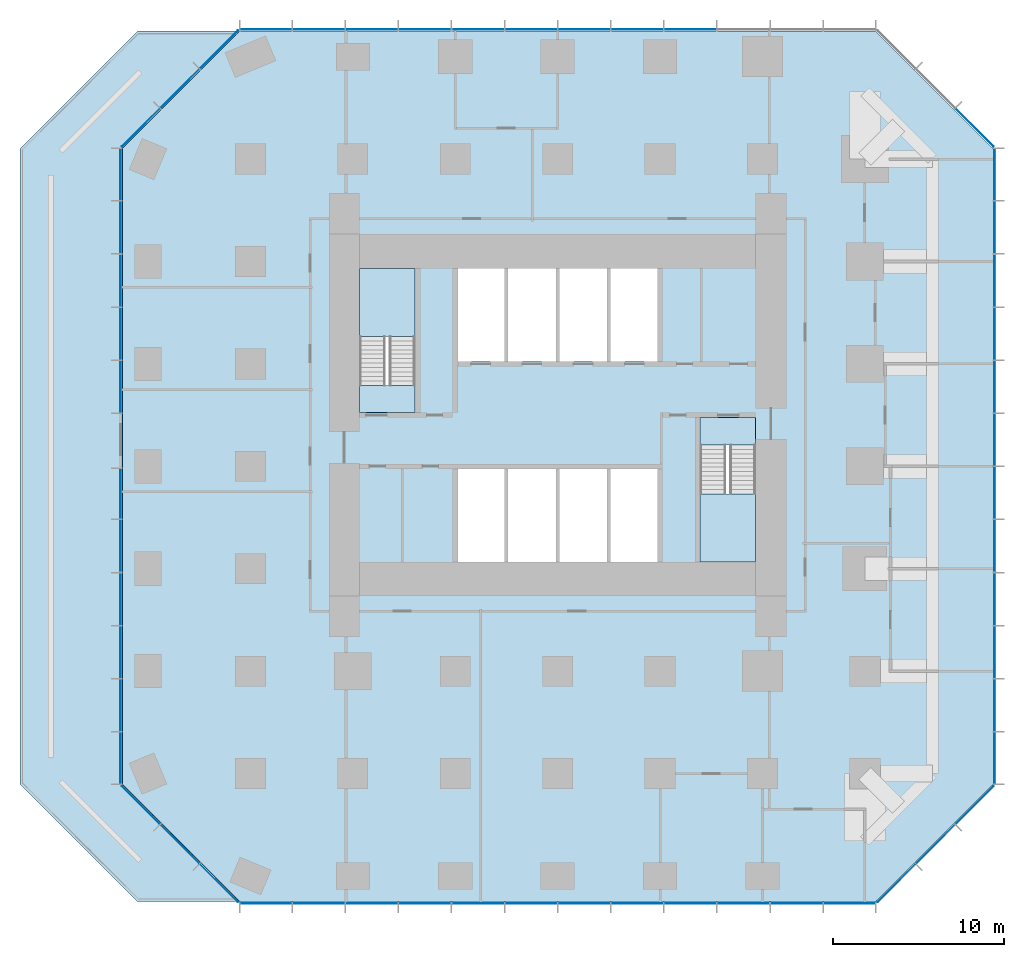
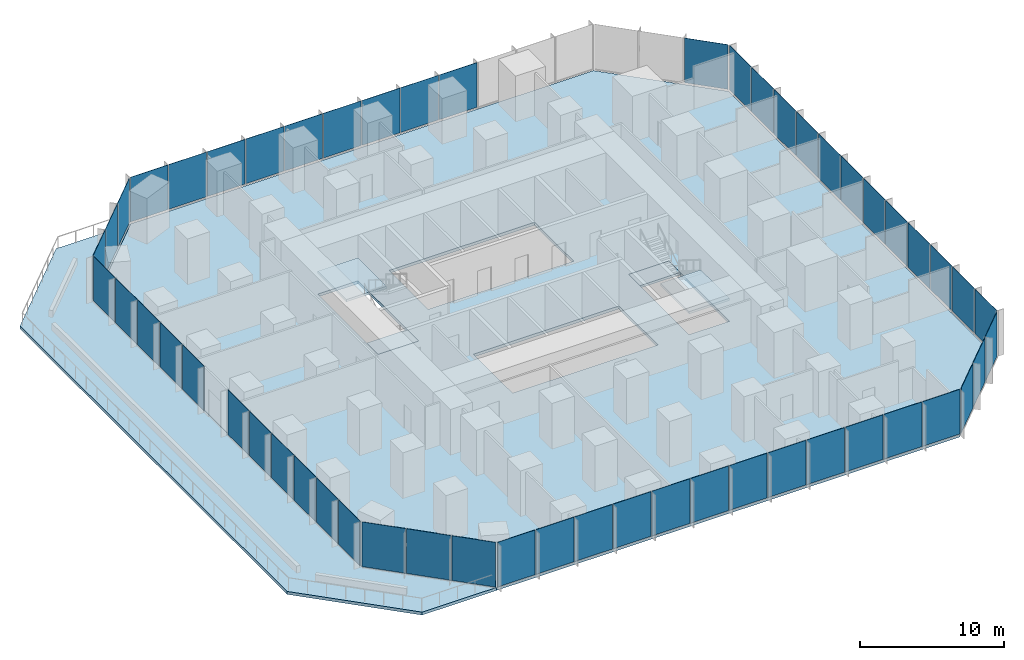
# One storey, part 7 of 12: 54 plates, 6 slabs, 11 elements without a shape of their own.
"""IFC4 building model written with IfcOpenShell, lengths in metres."""

from ifc_helpers import new_model, si_unit, direction, frame, origin, origin_2d, place, context, subcontext, project, spatial, polyline, rectangle, outline, extrude, material, layer, layer_set, type_object, element, aggregate, save


model = new_model("IFC4")

# Units and contexts
model_context = context("Model", 3, precision=1e-05, world=origin(), true_north=direction((0.0, 1.0)))
body_context = subcontext(model_context, "Body", "Model", "MODEL_VIEW")
ifc_project = project(units=[si_unit("LENGTHUNIT", "METRE"), si_unit("AREAUNIT", "SQUARE_METRE"), si_unit("VOLUMEUNIT", "CUBIC_METRE"), si_unit("PLANEANGLEUNIT", "RADIAN"), si_unit("MASSUNIT", "GRAM", prefix="KILO")], contexts=[model_context])

# Site, building, storey
site_placement = place(None, origin())
site = spatial("IfcSite", under=ifc_project, at=site_placement, CompositionType="ELEMENT")
building_placement = place(site_placement, origin())
building = spatial("IfcBuilding", under=site, at=building_placement, Name="Highveld Stack Headquarters", CompositionType="ELEMENT")
storey_placement = place(building_placement, frame((0.0, 0.0, 41.60009765625)))
storey = spatial("IfcBuildingStorey", under=building, at=storey_placement, Name="L09", CompositionType="ELEMENT", Elevation=41.60009765625)

# Curtain wall, plates
ifc_material_1 = material(Name="Aluminium bronze anodised", Category="aluminium")
ifc_layer_1 = layer(ifc_material_1, 0.199951171875)
ifc_layer_set_1 = layer_set([ifc_layer_1], Name="Aluminium bronze anodised")
curtain_wall_type_1 = type_object("IfcCurtainWallType", Name="CW1 TOWER UNITISED CURTAIN WALL", PredefinedType="NOTDEFINED", material=ifc_layer_set_1)
curtain_wall_1_placement = place(storey_placement, origin())
curtain_wall_1 = element("IfcCurtainWall", 1, at=curtain_wall_1_placement, inside=storey, type_object=curtain_wall_type_1, Name="Curtain wall CW1 L09 S", PredefinedType="NOTDEFINED")
ifc_material_2 = material(Name="Glass bronze tinted double glazed unit", Category="glass")
ifc_layer_2 = layer(ifc_material_2, 0.028076171875)
ifc_layer_set_2 = layer_set([ifc_layer_2], Name="Glass bronze tinted double glazed unit")
plate_type_1 = type_object("IfcPlateType", Name="CW1 PANEL BRONZE TINTED DOUBLE GLAZED UNIT", PredefinedType="CURTAIN_PANEL", material=ifc_layer_set_2)
plate_1_placement = place(storey_placement, frame((-11.09130859375, -25.60009765625, 0.10009765625), z_axis=(0.0, 0.0, 1.0), x_axis=(1.0, 0.0, 0.0)))
plate_1 = element("IfcPlate", 2, at=plate_1_placement, type_object=plate_type_1, Name="CW1 panel L09 1.1", PredefinedType="CURTAIN_PANEL", context=body_context, shape_type="SweptSolid", body=[
    extrude(rectangle(XDim=3.012939453125, YDim=0.028076171875, at=origin_2d()), origin(), (0.0, 0.0, 1.0), 3.800048828125),
])
plate_2_placement = place(storey_placement, frame((-7.9970703125, -25.60009765625, 0.10009765625), z_axis=(0.0, 0.0, 1.0), x_axis=(1.0, 0.0, 0.0)))
plate_2 = element("IfcPlate", 3, at=plate_2_placement, type_object=plate_type_1, Name="CW1 panel L09 2.1", PredefinedType="CURTAIN_PANEL", context=body_context, shape_type="SweptSolid", body=[
    extrude(rectangle(XDim=3.04541015625, YDim=0.028076171875, at=origin_2d()), origin(), (0.0, 0.0, 1.0), 3.800048828125),
])
plate_3_placement = place(storey_placement, frame((-4.88671875, -25.60009765625, 0.10009765625), z_axis=(0.0, 0.0, 1.0), x_axis=(1.0, 0.0, 0.0)))
plate_3 = element("IfcPlate", 4, at=plate_3_placement, type_object=plate_type_1, Name="CW1 panel L09 3.1", PredefinedType="CURTAIN_PANEL", context=body_context, shape_type="SweptSolid", body=[
    extrude(rectangle(XDim=3.04541015625, YDim=0.028076171875, at=origin_2d()), origin(), (0.0, 0.0, 1.0), 3.800048828125),
])
plate_4_placement = place(storey_placement, frame((-1.776123046875, -25.60009765625, 0.10009765625), z_axis=(0.0, 0.0, 1.0), x_axis=(1.0, 0.0, 0.0)))
plate_4 = element("IfcPlate", 5, at=plate_4_placement, type_object=plate_type_1, Name="CW1 panel L09 4.1", PredefinedType="CURTAIN_PANEL", context=body_context, shape_type="SweptSolid", body=[
    extrude(rectangle(XDim=3.04541015625, YDim=0.028076171875, at=origin_2d()), origin(), (0.0, 0.0, 1.0), 3.800048828125),
])
plate_5_placement = place(storey_placement, frame((1.334228515625, -25.60009765625, 0.10009765625), z_axis=(0.0, 0.0, 1.0), x_axis=(1.0, 0.0, 0.0)))
plate_5 = element("IfcPlate", 6, at=plate_5_placement, type_object=plate_type_1, Name="CW1 panel L09 5.1", PredefinedType="CURTAIN_PANEL", context=body_context, shape_type="SweptSolid", body=[
    extrude(rectangle(XDim=3.04541015625, YDim=0.028076171875, at=origin_2d()), origin(), (0.0, 0.0, 1.0), 3.800048828125),
])
plate_6_placement = place(storey_placement, frame((4.44482421875, -25.60009765625, 0.10009765625), z_axis=(0.0, 0.0, 1.0), x_axis=(1.0, 0.0, 0.0)))
plate_6 = element("IfcPlate", 7, at=plate_6_placement, type_object=plate_type_1, Name="CW1 panel L09 6.1", PredefinedType="CURTAIN_PANEL", context=body_context, shape_type="SweptSolid", body=[
    extrude(rectangle(XDim=3.04541015625, YDim=0.028076171875, at=origin_2d()), origin(), (0.0, 0.0, 1.0), 3.800048828125),
])
plate_7_placement = place(storey_placement, frame((7.55517578125, -25.60009765625, 0.10009765625), z_axis=(0.0, 0.0, 1.0), x_axis=(1.0, 0.0, 0.0)))
plate_7 = element("IfcPlate", 8, at=plate_7_placement, type_object=plate_type_1, Name="CW1 panel L09 7.1", PredefinedType="CURTAIN_PANEL", context=body_context, shape_type="SweptSolid", body=[
    extrude(rectangle(XDim=3.04541015625, YDim=0.028076171875, at=origin_2d()), origin(), (0.0, 0.0, 1.0), 3.800048828125),
])
plate_8_placement = place(storey_placement, frame((10.665771484375, -25.60009765625, 0.10009765625), z_axis=(0.0, 0.0, 1.0), x_axis=(1.0, 0.0, 0.0)))
plate_8 = element("IfcPlate", 9, at=plate_8_placement, type_object=plate_type_1, Name="CW1 panel L09 8.1", PredefinedType="CURTAIN_PANEL", context=body_context, shape_type="SweptSolid", body=[
    extrude(rectangle(XDim=3.04541015625, YDim=0.028076171875, at=origin_2d()), origin(), (0.0, 0.0, 1.0), 3.800048828125),
])
plate_9_placement = place(storey_placement, frame((13.776123046875, -25.60009765625, 0.10009765625), z_axis=(0.0, 0.0, 1.0), x_axis=(1.0, 0.0, 0.0)))
plate_9 = element("IfcPlate", 10, at=plate_9_placement, type_object=plate_type_1, Name="CW1 panel L09 9.1", PredefinedType="CURTAIN_PANEL", context=body_context, shape_type="SweptSolid", body=[
    extrude(rectangle(XDim=3.04541015625, YDim=0.028076171875, at=origin_2d()), origin(), (0.0, 0.0, 1.0), 3.800048828125),
])
plate_10_placement = place(storey_placement, frame((16.88671875, -25.60009765625, 0.10009765625), z_axis=(0.0, 0.0, 1.0), x_axis=(1.0, 0.0, 0.0)))
plate_10 = element("IfcPlate", 11, at=plate_10_placement, type_object=plate_type_1, Name="CW1 panel L09 10.1", PredefinedType="CURTAIN_PANEL", context=body_context, shape_type="SweptSolid", body=[
    extrude(rectangle(XDim=3.04541015625, YDim=0.028076171875, at=origin_2d()), origin(), (0.0, 0.0, 1.0), 3.800048828125),
])
plate_11_placement = place(storey_placement, frame((19.9970703125, -25.60009765625, 0.10009765625), z_axis=(0.0, 0.0, 1.0), x_axis=(1.0, 0.0, 0.0)))
plate_11 = element("IfcPlate", 12, at=plate_11_placement, type_object=plate_type_1, Name="CW1 panel L09 11.1", PredefinedType="CURTAIN_PANEL", context=body_context, shape_type="SweptSolid", body=[
    extrude(rectangle(XDim=3.04541015625, YDim=0.028076171875, at=origin_2d()), origin(), (0.0, 0.0, 1.0), 3.800048828125),
])
plate_12_placement = place(storey_placement, frame((23.09130859375, -25.60009765625, 0.10009765625), z_axis=(0.0, 0.0, 1.0), x_axis=(1.0, 0.0, 0.0)))
plate_12 = element("IfcPlate", 13, at=plate_12_placement, type_object=plate_type_1, Name="CW1 panel L09 12.1", PredefinedType="CURTAIN_PANEL", context=body_context, shape_type="SweptSolid", body=[
    extrude(rectangle(XDim=3.012939453125, YDim=0.028076171875, at=origin_2d()), origin(), (0.0, 0.0, 1.0), 3.800048828125),
])
aggregate(curtain_wall_1, [plate_1, plate_2, plate_3, plate_4, plate_5, plate_6, plate_7, plate_8, plate_9, plate_10, plate_11, plate_12])

curtain_wall_2_placement = place(storey_placement, origin())
curtain_wall_2 = element("IfcCurtainWall", 14, at=curtain_wall_2_placement, inside=storey, type_object=curtain_wall_type_1, Name="Curtain wall CW1 L09 E", PredefinedType="NOTDEFINED")
plate_13_placement = place(storey_placement, frame((31.60009765625, -17.09130859375, 0.10009765625), z_axis=(0.0, 0.0, 1.0), x_axis=(0.0, 1.0, 0.0)))
plate_13 = element("IfcPlate", 15, at=plate_13_placement, type_object=plate_type_1, Name="CW1 panel L09 1.1", PredefinedType="CURTAIN_PANEL", context=body_context, shape_type="SweptSolid", body=[
    extrude(rectangle(XDim=3.012939453125, YDim=0.028076171875, at=origin_2d()), origin(), (0.0, 0.0, 1.0), 3.800048828125),
])
plate_14_placement = place(storey_placement, frame((31.60009765625, -13.9970703125, 0.10009765625), z_axis=(0.0, 0.0, 1.0), x_axis=(0.0, 1.0, 0.0)))
plate_14 = element("IfcPlate", 16, at=plate_14_placement, type_object=plate_type_1, Name="CW1 panel L09 2.1", PredefinedType="CURTAIN_PANEL", context=body_context, shape_type="SweptSolid", body=[
    extrude(rectangle(XDim=3.04541015625, YDim=0.028076171875, at=origin_2d()), origin(), (0.0, 0.0, 1.0), 3.800048828125),
])
plate_15_placement = place(storey_placement, frame((31.60009765625, -10.88671875, 0.10009765625), z_axis=(0.0, 0.0, 1.0), x_axis=(0.0, 1.0, 0.0)))
plate_15 = element("IfcPlate", 17, at=plate_15_placement, type_object=plate_type_1, Name="CW1 panel L09 3.1", PredefinedType="CURTAIN_PANEL", context=body_context, shape_type="SweptSolid", body=[
    extrude(rectangle(XDim=3.04541015625, YDim=0.028076171875, at=origin_2d()), origin(), (0.0, 0.0, 1.0), 3.800048828125),
])
plate_16_placement = place(storey_placement, frame((31.60009765625, -7.776123046875, 0.10009765625), z_axis=(0.0, 0.0, 1.0), x_axis=(0.0, 1.0, 0.0)))
plate_16 = element("IfcPlate", 18, at=plate_16_placement, type_object=plate_type_1, Name="CW1 panel L09 4.1", PredefinedType="CURTAIN_PANEL", context=body_context, shape_type="SweptSolid", body=[
    extrude(rectangle(XDim=3.04541015625, YDim=0.028076171875, at=origin_2d()), origin(), (0.0, 0.0, 1.0), 3.800048828125),
])
plate_17_placement = place(storey_placement, frame((31.60009765625, -4.665771484375, 0.10009765625), z_axis=(0.0, 0.0, 1.0), x_axis=(0.0, 1.0, 0.0)))
plate_17 = element("IfcPlate", 19, at=plate_17_placement, type_object=plate_type_1, Name="CW1 panel L09 5.1", PredefinedType="CURTAIN_PANEL", context=body_context, shape_type="SweptSolid", body=[
    extrude(rectangle(XDim=3.04541015625, YDim=0.028076171875, at=origin_2d()), origin(), (0.0, 0.0, 1.0), 3.800048828125),
])
plate_18_placement = place(storey_placement, frame((31.60009765625, -1.55517578125, 0.10009765625), z_axis=(0.0, 0.0, 1.0), x_axis=(0.0, 1.0, 0.0)))
plate_18 = element("IfcPlate", 20, at=plate_18_placement, type_object=plate_type_1, Name="CW1 panel L09 6.1", PredefinedType="CURTAIN_PANEL", context=body_context, shape_type="SweptSolid", body=[
    extrude(rectangle(XDim=3.04541015625, YDim=0.028076171875, at=origin_2d()), origin(), (0.0, 0.0, 1.0), 3.800048828125),
])
plate_19_placement = place(storey_placement, frame((31.60009765625, 1.55517578125, 0.10009765625), z_axis=(0.0, 0.0, 1.0), x_axis=(0.0, 1.0, 0.0)))
plate_19 = element("IfcPlate", 21, at=plate_19_placement, type_object=plate_type_1, Name="CW1 panel L09 7.1", PredefinedType="CURTAIN_PANEL", context=body_context, shape_type="SweptSolid", body=[
    extrude(rectangle(XDim=3.04541015625, YDim=0.028076171875, at=origin_2d()), origin(), (0.0, 0.0, 1.0), 3.800048828125),
])
plate_20_placement = place(storey_placement, frame((31.60009765625, 4.665771484375, 0.10009765625), z_axis=(0.0, 0.0, 1.0), x_axis=(0.0, 1.0, 0.0)))
plate_20 = element("IfcPlate", 22, at=plate_20_placement, type_object=plate_type_1, Name="CW1 panel L09 8.1", PredefinedType="CURTAIN_PANEL", context=body_context, shape_type="SweptSolid", body=[
    extrude(rectangle(XDim=3.04541015625, YDim=0.028076171875, at=origin_2d()), origin(), (0.0, 0.0, 1.0), 3.800048828125),
])
plate_21_placement = place(storey_placement, frame((31.60009765625, 7.776123046875, 0.10009765625), z_axis=(0.0, 0.0, 1.0), x_axis=(0.0, 1.0, 0.0)))
plate_21 = element("IfcPlate", 23, at=plate_21_placement, type_object=plate_type_1, Name="CW1 panel L09 9.1", PredefinedType="CURTAIN_PANEL", context=body_context, shape_type="SweptSolid", body=[
    extrude(rectangle(XDim=3.04541015625, YDim=0.028076171875, at=origin_2d()), origin(), (0.0, 0.0, 1.0), 3.800048828125),
])
plate_22_placement = place(storey_placement, frame((31.60009765625, 10.88671875, 0.10009765625), z_axis=(0.0, 0.0, 1.0), x_axis=(0.0, 1.0, 0.0)))
plate_22 = element("IfcPlate", 24, at=plate_22_placement, type_object=plate_type_1, Name="CW1 panel L09 10.1", PredefinedType="CURTAIN_PANEL", context=body_context, shape_type="SweptSolid", body=[
    extrude(rectangle(XDim=3.04541015625, YDim=0.028076171875, at=origin_2d()), origin(), (0.0, 0.0, 1.0), 3.800048828125),
])
plate_23_placement = place(storey_placement, frame((31.60009765625, 13.9970703125, 0.10009765625), z_axis=(0.0, 0.0, 1.0), x_axis=(0.0, 1.0, 0.0)))
plate_23 = element("IfcPlate", 25, at=plate_23_placement, type_object=plate_type_1, Name="CW1 panel L09 11.1", PredefinedType="CURTAIN_PANEL", context=body_context, shape_type="SweptSolid", body=[
    extrude(rectangle(XDim=3.04541015625, YDim=0.028076171875, at=origin_2d()), origin(), (0.0, 0.0, 1.0), 3.800048828125),
])
plate_24_placement = place(storey_placement, frame((31.60009765625, 17.09130859375, 0.10009765625), z_axis=(0.0, 0.0, 1.0), x_axis=(0.0, 1.0, 0.0)))
plate_24 = element("IfcPlate", 26, at=plate_24_placement, type_object=plate_type_1, Name="CW1 panel L09 12.1", PredefinedType="CURTAIN_PANEL", context=body_context, shape_type="SweptSolid", body=[
    extrude(rectangle(XDim=3.012939453125, YDim=0.028076171875, at=origin_2d()), origin(), (0.0, 0.0, 1.0), 3.800048828125),
])
aggregate(curtain_wall_2, [plate_13, plate_14, plate_15, plate_16, plate_17, plate_18, plate_19, plate_20, plate_21, plate_22, plate_23, plate_24])

curtain_wall_3_placement = place(storey_placement, origin())
curtain_wall_3 = element("IfcCurtainWall", 27, at=curtain_wall_3_placement, inside=storey, type_object=curtain_wall_type_1, Name="Curtain wall CW1 L09 N", PredefinedType="NOTDEFINED")
plate_25_placement = place(storey_placement, frame((13.776123046875, 25.60009765625, 0.10009765625), z_axis=(0.0, 0.0, 1.0), x_axis=(-1.0, 0.0, 0.0)))
plate_25 = element("IfcPlate", 28, at=plate_25_placement, type_object=plate_type_1, Name="CW1 panel L09 4.1", PredefinedType="CURTAIN_PANEL", context=body_context, shape_type="SweptSolid", body=[
    extrude(rectangle(XDim=3.04541015625, YDim=0.028076171875, at=origin_2d()), origin(), (0.0, 0.0, 1.0), 3.800048828125),
])
plate_26_placement = place(storey_placement, frame((10.665771484375, 25.60009765625, 0.10009765625), z_axis=(0.0, 0.0, 1.0), x_axis=(-1.0, 0.0, 0.0)))
plate_26 = element("IfcPlate", 29, at=plate_26_placement, type_object=plate_type_1, Name="CW1 panel L09 5.1", PredefinedType="CURTAIN_PANEL", context=body_context, shape_type="SweptSolid", body=[
    extrude(rectangle(XDim=3.04541015625, YDim=0.028076171875, at=origin_2d()), origin(), (0.0, 0.0, 1.0), 3.800048828125),
])
plate_27_placement = place(storey_placement, frame((7.55517578125, 25.60009765625, 0.10009765625), z_axis=(0.0, 0.0, 1.0), x_axis=(-1.0, 0.0, 0.0)))
plate_27 = element("IfcPlate", 30, at=plate_27_placement, type_object=plate_type_1, Name="CW1 panel L09 6.1", PredefinedType="CURTAIN_PANEL", context=body_context, shape_type="SweptSolid", body=[
    extrude(rectangle(XDim=3.04541015625, YDim=0.028076171875, at=origin_2d()), origin(), (0.0, 0.0, 1.0), 3.800048828125),
])
plate_28_placement = place(storey_placement, frame((4.44482421875, 25.60009765625, 0.10009765625), z_axis=(0.0, 0.0, 1.0), x_axis=(-1.0, 0.0, 0.0)))
plate_28 = element("IfcPlate", 31, at=plate_28_placement, type_object=plate_type_1, Name="CW1 panel L09 7.1", PredefinedType="CURTAIN_PANEL", context=body_context, shape_type="SweptSolid", body=[
    extrude(rectangle(XDim=3.04541015625, YDim=0.028076171875, at=origin_2d()), origin(), (0.0, 0.0, 1.0), 3.800048828125),
])
plate_29_placement = place(storey_placement, frame((1.334228515625, 25.60009765625, 0.10009765625), z_axis=(0.0, 0.0, 1.0), x_axis=(-1.0, 0.0, 0.0)))
plate_29 = element("IfcPlate", 32, at=plate_29_placement, type_object=plate_type_1, Name="CW1 panel L09 8.1", PredefinedType="CURTAIN_PANEL", context=body_context, shape_type="SweptSolid", body=[
    extrude(rectangle(XDim=3.04541015625, YDim=0.028076171875, at=origin_2d()), origin(), (0.0, 0.0, 1.0), 3.800048828125),
])
plate_30_placement = place(storey_placement, frame((-1.776123046875, 25.60009765625, 0.10009765625), z_axis=(0.0, 0.0, 1.0), x_axis=(-1.0, 0.0, 0.0)))
plate_30 = element("IfcPlate", 33, at=plate_30_placement, type_object=plate_type_1, Name="CW1 panel L09 9.1", PredefinedType="CURTAIN_PANEL", context=body_context, shape_type="SweptSolid", body=[
    extrude(rectangle(XDim=3.04541015625, YDim=0.028076171875, at=origin_2d()), origin(), (0.0, 0.0, 1.0), 3.800048828125),
])
plate_31_placement = place(storey_placement, frame((-4.88671875, 25.60009765625, 0.10009765625), z_axis=(0.0, 0.0, 1.0), x_axis=(-1.0, 0.0, 0.0)))
plate_31 = element("IfcPlate", 34, at=plate_31_placement, type_object=plate_type_1, Name="CW1 panel L09 10.1", PredefinedType="CURTAIN_PANEL", context=body_context, shape_type="SweptSolid", body=[
    extrude(rectangle(XDim=3.04541015625, YDim=0.028076171875, at=origin_2d()), origin(), (0.0, 0.0, 1.0), 3.800048828125),
])
plate_32_placement = place(storey_placement, frame((-7.9970703125, 25.60009765625, 0.10009765625), z_axis=(0.0, 0.0, 1.0), x_axis=(-1.0, 0.0, 0.0)))
plate_32 = element("IfcPlate", 35, at=plate_32_placement, type_object=plate_type_1, Name="CW1 panel L09 11.1", PredefinedType="CURTAIN_PANEL", context=body_context, shape_type="SweptSolid", body=[
    extrude(rectangle(XDim=3.04541015625, YDim=0.028076171875, at=origin_2d()), origin(), (0.0, 0.0, 1.0), 3.800048828125),
])
plate_33_placement = place(storey_placement, frame((-11.09130859375, 25.60009765625, 0.10009765625), z_axis=(0.0, 0.0, 1.0), x_axis=(-1.0, 0.0, 0.0)))
plate_33 = element("IfcPlate", 36, at=plate_33_placement, type_object=plate_type_1, Name="CW1 panel L09 12.1", PredefinedType="CURTAIN_PANEL", context=body_context, shape_type="SweptSolid", body=[
    extrude(rectangle(XDim=3.012939453125, YDim=0.028076171875, at=origin_2d()), origin(), (0.0, 0.0, 1.0), 3.800048828125),
])
aggregate(curtain_wall_3, [plate_25, plate_26, plate_27, plate_28, plate_29, plate_30, plate_31, plate_32, plate_33])

curtain_wall_4_placement = place(storey_placement, origin())
curtain_wall_4 = element("IfcCurtainWall", 37, at=curtain_wall_4_placement, inside=storey, type_object=curtain_wall_type_1, Name="Curtain wall CW1 L09 W-1", PredefinedType="NOTDEFINED")
plate_34_placement = place(storey_placement, frame((-19.60009765625, 17.09130859375, 0.10009765625), z_axis=(0.0, 0.0, 1.0), x_axis=(0.0, -1.0, 0.0)))
plate_34 = element("IfcPlate", 38, at=plate_34_placement, type_object=plate_type_1, Name="CW1 panel L09 1.1", PredefinedType="CURTAIN_PANEL", context=body_context, shape_type="SweptSolid", body=[
    extrude(rectangle(XDim=3.012939453125, YDim=0.028076171875, at=origin_2d()), origin(), (0.0, 0.0, 1.0), 3.800048828125),
])
plate_35_placement = place(storey_placement, frame((-19.60009765625, 13.9970703125, 0.10009765625), z_axis=(0.0, 0.0, 1.0), x_axis=(0.0, -1.0, 0.0)))
plate_35 = element("IfcPlate", 39, at=plate_35_placement, type_object=plate_type_1, Name="CW1 panel L09 2.1", PredefinedType="CURTAIN_PANEL", context=body_context, shape_type="SweptSolid", body=[
    extrude(rectangle(XDim=3.04541015625, YDim=0.028076171875, at=origin_2d()), origin(), (0.0, 0.0, 1.0), 3.800048828125),
])
plate_36_placement = place(storey_placement, frame((-19.60009765625, 10.88671875, 0.10009765625), z_axis=(0.0, 0.0, 1.0), x_axis=(0.0, -1.0, 0.0)))
plate_36 = element("IfcPlate", 40, at=plate_36_placement, type_object=plate_type_1, Name="CW1 panel L09 3.1", PredefinedType="CURTAIN_PANEL", context=body_context, shape_type="SweptSolid", body=[
    extrude(rectangle(XDim=3.04541015625, YDim=0.028076171875, at=origin_2d()), origin(), (0.0, 0.0, 1.0), 3.800048828125),
])
plate_37_placement = place(storey_placement, frame((-19.60009765625, 7.776123046875, 0.10009765625), z_axis=(0.0, 0.0, 1.0), x_axis=(0.0, -1.0, 0.0)))
plate_37 = element("IfcPlate", 41, at=plate_37_placement, type_object=plate_type_1, Name="CW1 panel L09 4.1", PredefinedType="CURTAIN_PANEL", context=body_context, shape_type="SweptSolid", body=[
    extrude(rectangle(XDim=3.04541015625, YDim=0.028076171875, at=origin_2d()), origin(), (0.0, 0.0, 1.0), 3.800048828125),
])
plate_38_placement = place(storey_placement, frame((-19.60009765625, 4.665771484375, 0.10009765625), z_axis=(0.0, 0.0, 1.0), x_axis=(0.0, -1.0, 0.0)))
plate_38 = element("IfcPlate", 42, at=plate_38_placement, type_object=plate_type_1, Name="CW1 panel L09 5.1", PredefinedType="CURTAIN_PANEL", context=body_context, shape_type="SweptSolid", body=[
    extrude(rectangle(XDim=3.04541015625, YDim=0.028076171875, at=origin_2d()), origin(), (0.0, 0.0, 1.0), 3.800048828125),
])
aggregate(curtain_wall_4, [plate_34, plate_35, plate_36, plate_37, plate_38])

curtain_wall_5_placement = place(storey_placement, origin())
curtain_wall_5 = element("IfcCurtainWall", 43, at=curtain_wall_5_placement, inside=storey, type_object=curtain_wall_type_1, Name="Curtain wall CW1 L09 W-2", PredefinedType="NOTDEFINED")
plate_39_placement = place(storey_placement, frame((-19.60009765625, -1.60888671875, 0.10009765625), z_axis=(0.0, 0.0, 1.0), x_axis=(0.0, -1.0, 0.0)))
plate_39 = element("IfcPlate", 44, at=plate_39_placement, type_object=plate_type_1, Name="CW1 panel L09 7.1", PredefinedType="CURTAIN_PANEL", context=body_context, shape_type="SweptSolid", body=[
    extrude(rectangle(XDim=2.93798828125, YDim=0.028076171875, at=origin_2d()), origin(), (0.0, 0.0, 1.0), 3.800048828125),
])
plate_40_placement = place(storey_placement, frame((-19.60009765625, -4.665771484375, 0.10009765625), z_axis=(0.0, 0.0, 1.0), x_axis=(0.0, -1.0, 0.0)))
plate_40 = element("IfcPlate", 45, at=plate_40_placement, type_object=plate_type_1, Name="CW1 panel L09 8.1", PredefinedType="CURTAIN_PANEL", context=body_context, shape_type="SweptSolid", body=[
    extrude(rectangle(XDim=3.04541015625, YDim=0.028076171875, at=origin_2d()), origin(), (0.0, 0.0, 1.0), 3.800048828125),
])
plate_41_placement = place(storey_placement, frame((-19.60009765625, -7.776123046875, 0.10009765625), z_axis=(0.0, 0.0, 1.0), x_axis=(0.0, -1.0, 0.0)))
plate_41 = element("IfcPlate", 46, at=plate_41_placement, type_object=plate_type_1, Name="CW1 panel L09 9.1", PredefinedType="CURTAIN_PANEL", context=body_context, shape_type="SweptSolid", body=[
    extrude(rectangle(XDim=3.04541015625, YDim=0.028076171875, at=origin_2d()), origin(), (0.0, 0.0, 1.0), 3.800048828125),
])
plate_42_placement = place(storey_placement, frame((-19.60009765625, -10.88671875, 0.10009765625), z_axis=(0.0, 0.0, 1.0), x_axis=(0.0, -1.0, 0.0)))
plate_42 = element("IfcPlate", 47, at=plate_42_placement, type_object=plate_type_1, Name="CW1 panel L09 10.1", PredefinedType="CURTAIN_PANEL", context=body_context, shape_type="SweptSolid", body=[
    extrude(rectangle(XDim=3.04541015625, YDim=0.028076171875, at=origin_2d()), origin(), (0.0, 0.0, 1.0), 3.800048828125),
])
plate_43_placement = place(storey_placement, frame((-19.60009765625, -13.9970703125, 0.10009765625), z_axis=(0.0, 0.0, 1.0), x_axis=(0.0, -1.0, 0.0)))
plate_43 = element("IfcPlate", 48, at=plate_43_placement, type_object=plate_type_1, Name="CW1 panel L09 11.1", PredefinedType="CURTAIN_PANEL", context=body_context, shape_type="SweptSolid", body=[
    extrude(rectangle(XDim=3.04541015625, YDim=0.028076171875, at=origin_2d()), origin(), (0.0, 0.0, 1.0), 3.800048828125),
])
plate_44_placement = place(storey_placement, frame((-19.60009765625, -17.09130859375, 0.10009765625), z_axis=(0.0, 0.0, 1.0), x_axis=(0.0, -1.0, 0.0)))
plate_44 = element("IfcPlate", 49, at=plate_44_placement, type_object=plate_type_1, Name="CW1 panel L09 12.1", PredefinedType="CURTAIN_PANEL", context=body_context, shape_type="SweptSolid", body=[
    extrude(rectangle(XDim=3.012939453125, YDim=0.028076171875, at=origin_2d()), origin(), (0.0, 0.0, 1.0), 3.800048828125),
])
aggregate(curtain_wall_5, [plate_39, plate_40, plate_41, plate_42, plate_43, plate_44])

ifc_material_3 = material(Name="Aluminium bronze anodised", Category="aluminium")
ifc_layer_3 = layer(ifc_material_3, 0.199951171875)
ifc_layer_set_3 = layer_set([ifc_layer_3], Name="Aluminium bronze anodised")
curtain_wall_type_2 = type_object("IfcCurtainWallType", Name="CW2 TOWER CHAMFER UNITISED CURTAIN WALL", PredefinedType="NOTDEFINED", material=ifc_layer_set_3)
curtain_wall_6_placement = place(storey_placement, origin())
curtain_wall_6 = element("IfcCurtainWall", 50, at=curtain_wall_6_placement, inside=storey, type_object=curtain_wall_type_2, Name="Curtain wall CW2 L09 SE", PredefinedType="NOTDEFINED")
ifc_material_4 = material(Name="Glass bronze tinted double glazed unit", Category="glass")
ifc_layer_4 = layer(ifc_material_4, 0.028076171875)
ifc_layer_set_4 = layer_set([ifc_layer_4], Name="Glass bronze tinted double glazed unit")
plate_type_2 = type_object("IfcPlateType", Name="CW2 PANEL BRONZE TINTED DOUBLE GLAZED UNIT", PredefinedType="CURTAIN_PANEL", material=ifc_layer_set_4)
plate_45_placement = place(storey_placement, frame((25.8427734375, -24.419921875, 0.10009765625), z_axis=(0.0, 0.0, 1.0), x_axis=(0.707106781187, 0.707106781187, 0.0)))
plate_45 = element("IfcPlate", 51, at=plate_45_placement, type_object=plate_type_2, Name="CW2 panel L09 1.1", PredefinedType="CURTAIN_PANEL", context=body_context, shape_type="SweptSolid", body=[
    extrude(rectangle(XDim=3.1376953125, YDim=0.028076171875, at=origin_2d()), origin(), (0.0, 0.0, 1.0), 3.800048828125),
])
plate_46_placement = place(storey_placement, frame((28.13134765625, -22.13134765625, 0.10009765625), z_axis=(0.0, 0.0, 1.0), x_axis=(0.707106781187, 0.707106781187, 0.0)))
plate_46 = element("IfcPlate", 52, at=plate_46_placement, type_object=plate_type_2, Name="CW2 panel L09 2.1", PredefinedType="CURTAIN_PANEL", context=body_context, shape_type="SweptSolid", body=[
    extrude(rectangle(XDim=3.205322265625, YDim=0.028076171875, at=origin_2d()), origin(), (0.0, 0.0, 1.0), 3.800048828125),
])
plate_47_placement = place(storey_placement, frame((30.419921875, -19.8427734375, 0.10009765625), z_axis=(0.0, 0.0, 1.0), x_axis=(0.707106781187, 0.707106781187, 0.0)))
plate_47 = element("IfcPlate", 53, at=plate_47_placement, type_object=plate_type_2, Name="CW2 panel L09 3.1", PredefinedType="CURTAIN_PANEL", context=body_context, shape_type="SweptSolid", body=[
    extrude(rectangle(XDim=3.1376953125, YDim=0.028076171875, at=origin_2d()), origin(), (0.0, 0.0, 1.0), 3.800048828125),
])
aggregate(curtain_wall_6, [plate_45, plate_46, plate_47])

# Curtain wall, plate
curtain_wall_7_placement = place(storey_placement, origin())
curtain_wall_7 = element("IfcCurtainWall", 54, at=curtain_wall_7_placement, inside=storey, type_object=curtain_wall_type_2, Name="Curtain wall CW2 L09 NE", PredefinedType="NOTDEFINED")
plate_48_placement = place(storey_placement, frame((30.419921875, 19.8427734375, 0.10009765625), z_axis=(0.0, 0.0, 1.0), x_axis=(-0.707106781187, 0.707106781187, 0.0)))
plate_48 = element("IfcPlate", 55, at=plate_48_placement, type_object=plate_type_2, Name="CW2 panel L09 1.1", PredefinedType="CURTAIN_PANEL", context=body_context, shape_type="SweptSolid", body=[
    extrude(rectangle(XDim=3.1376953125, YDim=0.028076171875, at=origin_2d()), origin(), (0.0, 0.0, 1.0), 3.800048828125),
])
aggregate(curtain_wall_7, [plate_48])

# Curtain wall, plates
curtain_wall_8_placement = place(storey_placement, origin())
curtain_wall_8 = element("IfcCurtainWall", 56, at=curtain_wall_8_placement, inside=storey, type_object=curtain_wall_type_2, Name="Curtain wall CW2 L09 NW", PredefinedType="NOTDEFINED")
plate_49_placement = place(storey_placement, frame((-13.8427734375, 24.419921875, 0.10009765625), z_axis=(0.0, 0.0, 1.0), x_axis=(-0.707106781187, -0.707106781187, 0.0)))
plate_49 = element("IfcPlate", 57, at=plate_49_placement, type_object=plate_type_2, Name="CW2 panel L09 1.1", PredefinedType="CURTAIN_PANEL", context=body_context, shape_type="SweptSolid", body=[
    extrude(rectangle(XDim=3.1376953125, YDim=0.028076171875, at=origin_2d()), origin(), (0.0, 0.0, 1.0), 3.800048828125),
])
plate_50_placement = place(storey_placement, frame((-16.13134765625, 22.13134765625, 0.10009765625), z_axis=(0.0, 0.0, 1.0), x_axis=(-0.707106781187, -0.707106781187, 0.0)))
plate_50 = element("IfcPlate", 58, at=plate_50_placement, type_object=plate_type_2, Name="CW2 panel L09 2.1", PredefinedType="CURTAIN_PANEL", context=body_context, shape_type="SweptSolid", body=[
    extrude(rectangle(XDim=3.205322265625, YDim=0.028076171875, at=origin_2d()), origin(), (0.0, 0.0, 1.0), 3.800048828125),
])
plate_51_placement = place(storey_placement, frame((-18.419921875, 19.8427734375, 0.10009765625), z_axis=(0.0, 0.0, 1.0), x_axis=(-0.707106781187, -0.707106781187, 0.0)))
plate_51 = element("IfcPlate", 59, at=plate_51_placement, type_object=plate_type_2, Name="CW2 panel L09 3.1", PredefinedType="CURTAIN_PANEL", context=body_context, shape_type="SweptSolid", body=[
    extrude(rectangle(XDim=3.1376953125, YDim=0.028076171875, at=origin_2d()), origin(), (0.0, 0.0, 1.0), 3.800048828125),
])
aggregate(curtain_wall_8, [plate_49, plate_50, plate_51])

curtain_wall_9_placement = place(storey_placement, origin())
curtain_wall_9 = element("IfcCurtainWall", 60, at=curtain_wall_9_placement, inside=storey, type_object=curtain_wall_type_2, Name="Curtain wall CW2 L09 SW", PredefinedType="NOTDEFINED")
plate_52_placement = place(storey_placement, frame((-18.419921875, -19.8427734375, 0.10009765625), z_axis=(0.0, 0.0, 1.0), x_axis=(0.707106781187, -0.707106781187, 0.0)))
plate_52 = element("IfcPlate", 61, at=plate_52_placement, type_object=plate_type_2, Name="CW2 panel L09 1.1", PredefinedType="CURTAIN_PANEL", context=body_context, shape_type="SweptSolid", body=[
    extrude(rectangle(XDim=3.1376953125, YDim=0.028076171875, at=origin_2d()), origin(), (0.0, 0.0, 1.0), 3.800048828125),
])
plate_53_placement = place(storey_placement, frame((-16.13134765625, -22.13134765625, 0.10009765625), z_axis=(0.0, 0.0, 1.0), x_axis=(0.707106781187, -0.707106781187, 0.0)))
plate_53 = element("IfcPlate", 62, at=plate_53_placement, type_object=plate_type_2, Name="CW2 panel L09 2.1", PredefinedType="CURTAIN_PANEL", context=body_context, shape_type="SweptSolid", body=[
    extrude(rectangle(XDim=3.205322265625, YDim=0.028076171875, at=origin_2d()), origin(), (0.0, 0.0, 1.0), 3.800048828125),
])
plate_54_placement = place(storey_placement, frame((-13.8427734375, -24.419921875, 0.10009765625), z_axis=(0.0, 0.0, 1.0), x_axis=(0.707106781187, -0.707106781187, 0.0)))
plate_54 = element("IfcPlate", 63, at=plate_54_placement, type_object=plate_type_2, Name="CW2 panel L09 3.1", PredefinedType="CURTAIN_PANEL", context=body_context, shape_type="SweptSolid", body=[
    extrude(rectangle(XDim=3.1376953125, YDim=0.028076171875, at=origin_2d()), origin(), (0.0, 0.0, 1.0), 3.800048828125),
])
aggregate(curtain_wall_9, [plate_52, plate_53, plate_54])

# Slab
ifc_material_5 = material(Name="Concrete C60/75", Category="concrete")
ifc_layer_5 = layer(ifc_material_5, 0.25)
ifc_layer_set_5 = layer_set([ifc_layer_5], Name="Concrete C60/75")
slab_type_1 = type_object("IfcSlabType", Name="PT FLAT SLAB 250", PredefinedType="FLOOR", material=ifc_layer_set_5)
slab_1_placement = place(storey_placement, frame((0.0, 0.0, -0.25)))
element("IfcSlab", 64, at=slab_1_placement, inside=storey, type_object=slab_type_1, Name="Floor slab L09", PredefinedType="FLOOR", context=body_context, shape_type="SweptSolid", body=[
    extrude(outline(polyline([(-12.621337890625, -25.5), (24.621337890625, -25.5), (31.5, -18.621337890625), (31.5, 18.621337890625), (24.621337890625, 25.5), (-12.621337890625, 25.5), (-19.5, 18.621337890625), (-19.5, -18.621337890625), (-12.621337890625, -25.5)]), holes=[polyline([(0.14990234375, 6.14990234375), (11.85009765625, 6.14990234375), (11.85009765625, 11.60009765625), (0.14990234375, 11.60009765625), (0.14990234375, 6.14990234375)]), polyline([(0.14990234375, -5.60009765625), (11.85009765625, -5.60009765625), (11.85009765625, -0.14990234375), (0.14990234375, -0.14990234375), (0.14990234375, -5.60009765625)]), polyline([(-5.60009765625, 3.14990234375), (-2.35009765625, 3.14990234375), (-2.35009765625, 11.60009765625), (-5.60009765625, 11.60009765625), (-5.60009765625, 3.14990234375)]), polyline([(14.35009765625, -5.60009765625), (17.60009765625, -5.60009765625), (17.60009765625, 2.85009765625), (14.35009765625, 2.85009765625), (14.35009765625, -5.60009765625)])]), origin(), (0.0, 0.0, 1.0), 0.25),
])

# Stair, slabs
ifc_material_6 = material(Name="Concrete C40/50, precast", Category="concrete")
stair_type_1 = type_object("IfcStairType", Name="STAIR S1 HALF TURN 1500", PredefinedType="HALF_TURN_STAIR", material=ifc_material_6)
stair_1_placement = place(storey_placement, origin())
stair_1 = element("IfcStair", 65, at=stair_1_placement, inside=storey, type_object=stair_type_1, Name="Stair S1 L09", PredefinedType="HALF_TURN_STAIR")
ifc_material_7 = material(Name="Concrete C40/50, precast", Category="concrete")
ifc_layer_6 = layer(ifc_material_7, 0.199951171875)
ifc_layer_set_6 = layer_set([ifc_layer_6], Name="Concrete C40/50, precast")
slab_type_2 = type_object("IfcSlabType", Name="STAIR LANDING 200", PredefinedType="LANDING", material=ifc_layer_set_6)
slab_2_placement = place(storey_placement, frame((0.0, 0.0, 1.75)))
slab_2 = element("IfcSlab", 66, at=slab_2_placement, type_object=slab_type_2, Name="S1 landing 1", PredefinedType="LANDING", context=body_context, shape_type="SweptSolid", body=[
    extrude(outline(polyline([(-5.60009765625, 7.610107421875), (-2.35009765625, 7.610107421875), (-2.35009765625, 11.60009765625), (-5.60009765625, 11.60009765625), (-5.60009765625, 7.610107421875)])), origin(), (0.0, 0.0, 1.0), 0.199951171875),
])
slab_3_placement = place(storey_placement, frame((0.0, 0.0, -0.2001953125)))
slab_3 = element("IfcSlab", 67, at=slab_3_placement, type_object=slab_type_2, Name="S1 landing 2", PredefinedType="LANDING", context=body_context, shape_type="SweptSolid", body=[
    extrude(outline(polyline([(-5.60009765625, 3.14990234375), (-2.35009765625, 3.14990234375), (-2.35009765625, 4.75), (-5.60009765625, 4.75), (-5.60009765625, 3.14990234375)])), origin(), (0.0, 0.0, 1.0), 0.2001953125),
])
aggregate(stair_1, [slab_2, slab_3])

ifc_material_8 = material(Name="Concrete C40/50, precast", Category="concrete")
stair_type_2 = type_object("IfcStairType", Name="STAIR S2 HALF TURN 1500", PredefinedType="HALF_TURN_STAIR", material=ifc_material_8)
stair_2_placement = place(storey_placement, origin())
stair_2 = element("IfcStair", 68, at=stair_2_placement, inside=storey, type_object=stair_type_2, Name="Stair S2 L09", PredefinedType="HALF_TURN_STAIR")
slab_4_placement = place(storey_placement, frame((0.0, 0.0, 1.75)))
slab_4 = element("IfcSlab", 69, at=slab_4_placement, type_object=slab_type_2, Name="S2 landing 1", PredefinedType="LANDING", context=body_context, shape_type="SweptSolid", body=[
    extrude(outline(polyline([(14.35009765625, -5.60009765625), (17.60009765625, -5.60009765625), (17.60009765625, -1.610107421875), (14.35009765625, -1.610107421875), (14.35009765625, -5.60009765625)])), origin(), (0.0, 0.0, 1.0), 0.199951171875),
])
slab_5_placement = place(storey_placement, frame((0.0, 0.0, -0.2001953125)))
slab_5 = element("IfcSlab", 70, at=slab_5_placement, type_object=slab_type_2, Name="S2 landing 2", PredefinedType="LANDING", context=body_context, shape_type="SweptSolid", body=[
    extrude(outline(polyline([(14.35009765625, 1.25), (17.60009765625, 1.25), (17.60009765625, 2.85009765625), (14.35009765625, 2.85009765625), (14.35009765625, 1.25)])), origin(), (0.0, 0.0, 1.0), 0.2001953125),
])
aggregate(stair_2, [slab_4, slab_5])

# Slab
ifc_material_9 = material(Name="Concrete C60/75", Category="concrete")
ifc_layer_7 = layer(ifc_material_9, 0.25)
ifc_layer_set_7 = layer_set([ifc_layer_7], Name="Concrete C60/75")
slab_type_3 = type_object("IfcSlabType", Name="TERRACE SLAB 250", PredefinedType="FLOOR", material=ifc_layer_set_7)
slab_6_placement = place(storey_placement, frame((0.0, 0.0, -0.25)))
element("IfcSlab", 71, at=slab_6_placement, inside=storey, type_object=slab_type_3, Name="Planted terrace L09", PredefinedType="FLOOR", context=body_context, shape_type="SweptSolid", body=[
    extrude(outline(polyline([(-18.621337890625, -25.5), (-25.5, -18.621337890625), (-25.5, 18.621337890625), (-18.621337890625, 25.5), (-12.621337890625, 25.5), (-19.5, 18.621337890625), (-19.5, -18.621337890625), (-12.621337890625, -25.5), (-18.621337890625, -25.5)])), origin(), (0.0, 0.0, 1.0), 0.25),
])

save(model, "model.ifc")
